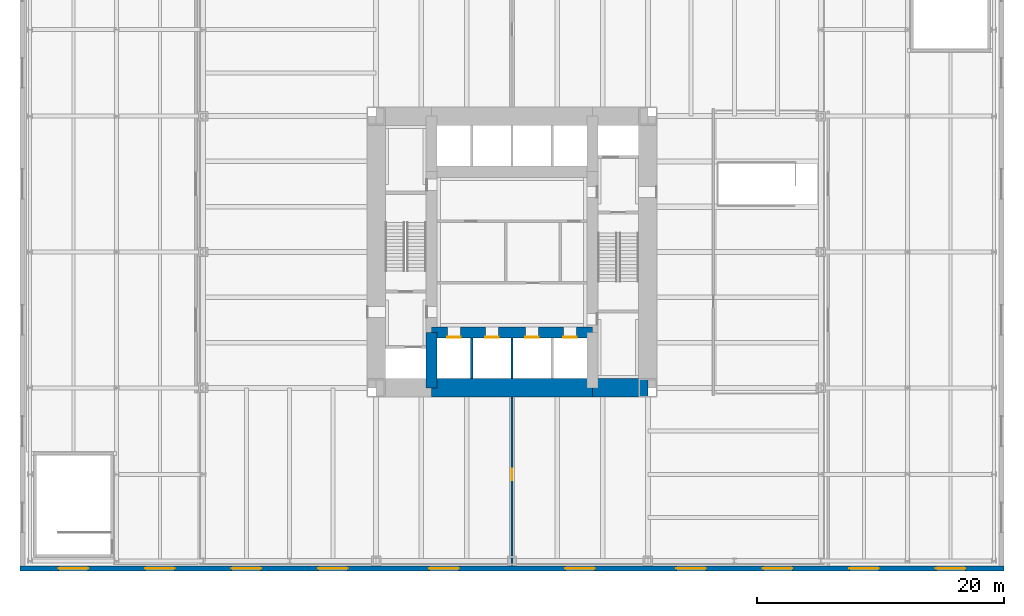
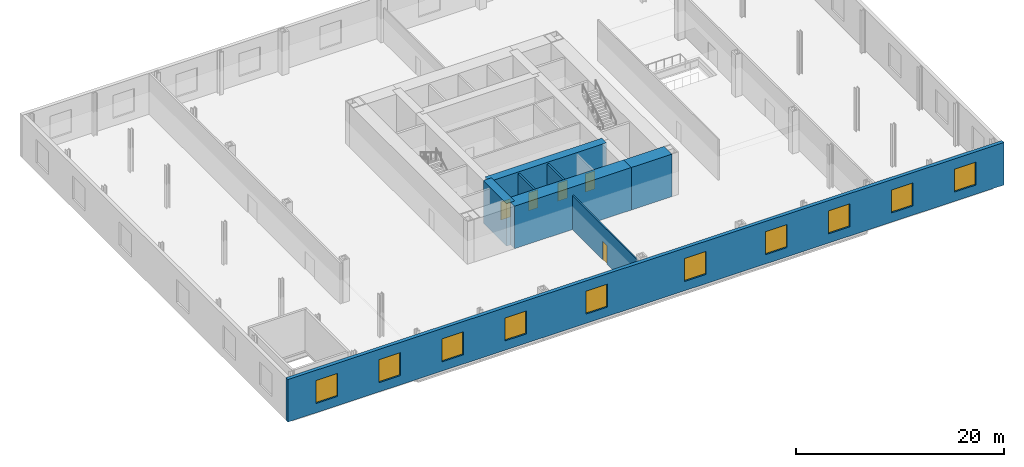
# One storey, part 8 of 12: 10 windows, 8 walls, 5 doors, 15 openings.
"""IFC4 building model written with IfcOpenShell, lengths in metres."""

from ifc_helpers import new_model, si_unit, direction, frame, frame_2d, origin, place, context, subcontext, project, spatial, rectangle, extrude, material, layer, layer_set, type_object, element, fill, save


model = new_model("IFC4")

# Units and contexts
model_context = context("Model", 3, precision=1e-05, world=origin(), true_north=direction((0.0, 1.0)))
body_context = subcontext(model_context, "Body", "Model", "MODEL_VIEW")
ifc_project = project(units=[si_unit("LENGTHUNIT", "METRE"), si_unit("AREAUNIT", "SQUARE_METRE"), si_unit("VOLUMEUNIT", "CUBIC_METRE"), si_unit("PLANEANGLEUNIT", "RADIAN"), si_unit("MASSUNIT", "GRAM", prefix="KILO")], contexts=[model_context])

# Site, building, storey
site_placement = place(None, origin())
site = spatial("IfcSite", under=ifc_project, at=site_placement, CompositionType="ELEMENT")
building_placement = place(site_placement, origin())
building = spatial("IfcBuilding", under=site, at=building_placement, Name="Trevanion Tower", CompositionType="ELEMENT")
storey_placement = place(building_placement, frame((0.0, 0.0, 11.0)))
storey = spatial("IfcBuildingStorey", under=building, at=storey_placement, Name="L02", CompositionType="ELEMENT", Elevation=11.0)

# Walls
ifc_material_1 = material(Name="Concrete 10,000 psi", Category="concrete")
ifc_layer_1 = layer(ifc_material_1, 1.5)
ifc_layer_set_1 = layer_set([ifc_layer_1], Name="CW1 core wall 1500")
wall_type_1 = type_object("IfcWallType", Name="CW1 core wall 1500", PredefinedType="SHEAR", material=ifc_layer_set_1)
wall_1_placement = place(storey_placement, frame((-6.5, -11.0, 0.0), z_axis=(0.0, 0.0, 1.0), x_axis=(1.0, 0.0, 0.0)))
element("IfcWall", 1, at=wall_1_placement, inside=storey, type_object=wall_type_1, Name="CW1 CS2 L02", PredefinedType="SHEAR", context=body_context, shape_type="SweptSolid", body=[
    extrude(rectangle(XDim=13.0, YDim=1.5, at=frame_2d((6.5, 0.0))), origin(), (0.0, 0.0, 1.0), 5.0),
])
wall_2_placement = place(storey_placement, frame((6.5, -11.0, 0.0), z_axis=(0.0, 0.0, 1.0), x_axis=(1.0, 0.0, 0.0)))
element("IfcWall", 2, at=wall_2_placement, inside=storey, type_object=wall_type_1, Name="CW1 CS3 L02", PredefinedType="SHEAR", context=body_context, shape_type="SweptSolid", body=[
    extrude(rectangle(XDim=4.5, YDim=1.5, at=frame_2d((2.25, 0.0))), origin(), (0.0, 0.0, 1.0), 5.0),
])
ifc_material_2 = material(Name="Concrete 10,000 psi", Category="concrete")
ifc_layer_2 = layer(ifc_material_2, 0.89990234375)
ifc_layer_set_2 = layer_set([ifc_layer_2], Name="CW2 core wall 900")
wall_type_2 = type_object("IfcWallType", Name="CW2 core wall 900", PredefinedType="SHEAR", material=ifc_layer_set_2)
wall_3_placement = place(storey_placement, frame((-6.5, -6.5, 0.0), z_axis=(0.0, 0.0, 1.0), x_axis=(0.0, -1.0, 0.0)))
element("IfcWall", 3, at=wall_3_placement, inside=storey, type_object=wall_type_2, Name="CW2 RW3 L02", PredefinedType="SHEAR", context=body_context, shape_type="SweptSolid", body=[
    extrude(rectangle(XDim=4.5, YDim=0.89990234375, at=frame_2d((2.25, 0.0))), origin(), (0.0, 0.0, 1.0), 5.0),
])

# Wall, openings, doors
wall_4_placement = place(storey_placement, frame((-6.5, -6.5, 0.0), z_axis=(0.0, 0.0, 1.0), x_axis=(1.0, 0.0, 0.0)))
wall_4 = element("IfcWall", 4, at=wall_4_placement, inside=storey, type_object=wall_type_2, Name="CW2 RS L02", PredefinedType="SHEAR", context=body_context, shape_type="SweptSolid", body=[
    extrude(rectangle(XDim=13.0, YDim=0.89990234375, at=frame_2d((6.5, 0.0))), origin(), (0.0, 0.0, 1.0), 5.0),
])
opening_1_placement = place(wall_4_placement, frame((1.2666015625, 0.0, 0.0)))
opening_1 = element("IfcOpeningElement", 5, at=opening_1_placement, cuts=wall_4, Name="Opening 02-011", PredefinedType="OPENING", context=body_context, shape_type="SweptSolid", body=[
    extrude(rectangle(XDim=1.06689453125, YDim=2.134033203125, at=frame_2d((0.533447265625, 1.06689453125))), frame((0.0, 0.4599609375, 0.0), z_axis=(0.0, -1.0, 0.0), x_axis=(1.0, 0.0, 0.0)), (0.0, 0.0, 1.0), 0.919921875),
])
opening_2_placement = place(wall_4_placement, frame((4.341552734375, 0.0, 0.0)))
opening_2 = element("IfcOpeningElement", 6, at=opening_2_placement, cuts=wall_4, Name="Opening 02-012", PredefinedType="OPENING", context=body_context, shape_type="SweptSolid", body=[
    extrude(rectangle(XDim=1.06689453125, YDim=2.134033203125, at=frame_2d((0.533447265625, 1.06689453125))), frame((0.0, 0.4599609375, 0.0), z_axis=(0.0, -1.0, 0.0), x_axis=(1.0, 0.0, 0.0)), (0.0, 0.0, 1.0), 0.919921875),
])
opening_3_placement = place(wall_4_placement, frame((7.591552734375, 0.0, 0.0)))
opening_3 = element("IfcOpeningElement", 7, at=opening_3_placement, cuts=wall_4, Name="Opening 02-013", PredefinedType="OPENING", context=body_context, shape_type="SweptSolid", body=[
    extrude(rectangle(XDim=1.06689453125, YDim=2.134033203125, at=frame_2d((0.533447265625, 1.06689453125))), frame((0.0, 0.4599609375, 0.0), z_axis=(0.0, -1.0, 0.0), x_axis=(1.0, 0.0, 0.0)), (0.0, 0.0, 1.0), 0.919921875),
])
opening_4_placement = place(wall_4_placement, frame((10.66650390625, 0.0, 0.0)))
opening_4 = element("IfcOpeningElement", 8, at=opening_4_placement, cuts=wall_4, Name="Opening 02-014", PredefinedType="OPENING", context=body_context, shape_type="SweptSolid", body=[
    extrude(rectangle(XDim=1.06689453125, YDim=2.134033203125, at=frame_2d((0.533447265625, 1.06689453125))), frame((0.0, 0.4599609375, 0.0), z_axis=(0.0, -1.0, 0.0), x_axis=(1.0, 0.0, 0.0)), (0.0, 0.0, 1.0), 0.919921875),
])
ifc_material_3 = material(Name="Stainless steel, fire rated", Category="steel")
door_type_1 = type_object("IfcDoorType", Name="LD1 lift landing door", OperationType="SLIDING_TO_LEFT", PredefinedType="DOOR", material=ifc_material_3)
door_1_placement = place(opening_1_placement, origin())
door_1 = element("IfcDoor", 9, at=door_1_placement, inside=storey, type_object=door_type_1, Name="Door 02-011", OperationType="SLIDING_TO_LEFT", OverallHeight=2.134033203125, OverallWidth=1.06689453125, PredefinedType="DOOR", context=body_context, shape_type="SweptSolid", body=[
    extrude(rectangle(XDim=1.06689453125, YDim=2.134033203125, at=frame_2d((0.533447265625, 1.06689453125))), frame((0.0, -0.375, 0.0), z_axis=(0.0, -1.0, 0.0), x_axis=(1.0, 0.0, 0.0)), (0.0, 0.0, 1.0), 0.050048828125),
])
fill(opening_1, door_1)
door_2_placement = place(opening_2_placement, origin())
door_2 = element("IfcDoor", 10, at=door_2_placement, inside=storey, type_object=door_type_1, Name="Door 02-012", OperationType="SLIDING_TO_LEFT", OverallHeight=2.134033203125, OverallWidth=1.06689453125, PredefinedType="DOOR", context=body_context, shape_type="SweptSolid", body=[
    extrude(rectangle(XDim=1.06689453125, YDim=2.134033203125, at=frame_2d((0.533447265625, 1.06689453125))), frame((0.0, -0.375, 0.0), z_axis=(0.0, -1.0, 0.0), x_axis=(1.0, 0.0, 0.0)), (0.0, 0.0, 1.0), 0.050048828125),
])
fill(opening_2, door_2)
door_3_placement = place(opening_3_placement, origin())
door_3 = element("IfcDoor", 11, at=door_3_placement, inside=storey, type_object=door_type_1, Name="Door 02-013", OperationType="SLIDING_TO_LEFT", OverallHeight=2.134033203125, OverallWidth=1.06689453125, PredefinedType="DOOR", context=body_context, shape_type="SweptSolid", body=[
    extrude(rectangle(XDim=1.06689453125, YDim=2.134033203125, at=frame_2d((0.533447265625, 1.06689453125))), frame((0.0, -0.375, 0.0), z_axis=(0.0, -1.0, 0.0), x_axis=(1.0, 0.0, 0.0)), (0.0, 0.0, 1.0), 0.050048828125),
])
fill(opening_3, door_3)
door_4_placement = place(opening_4_placement, origin())
door_4 = element("IfcDoor", 12, at=door_4_placement, inside=storey, type_object=door_type_1, Name="Door 02-014", OperationType="SLIDING_TO_LEFT", OverallHeight=2.134033203125, OverallWidth=1.06689453125, PredefinedType="DOOR", context=body_context, shape_type="SweptSolid", body=[
    extrude(rectangle(XDim=1.06689453125, YDim=2.134033203125, at=frame_2d((0.533447265625, 1.06689453125))), frame((0.0, -0.375, 0.0), z_axis=(0.0, -1.0, 0.0), x_axis=(1.0, 0.0, 0.0)), (0.0, 0.0, 1.0), 0.050048828125),
])
fill(opening_4, door_4)

# Wall, openings, windows
ifc_material_4 = material(Name="Granite cladding on concrete masonry", Category="masonry")
ifc_layer_3 = layer(ifc_material_4, 0.39990234375)
ifc_layer_set_3 = layer_set([ifc_layer_3], Name="EW1 granite-faced wall 400")
wall_type_3 = type_object("IfcWallType", Name="EW1 granite-faced wall 400", PredefinedType="SOLIDWALL", material=ifc_layer_set_3)
wall_5_placement = place(storey_placement, frame((-39.820068359375, -25.6201171875, -0.18994140625), z_axis=(0.0, 0.0, 1.0), x_axis=(1.0, 0.0, 0.0)))
wall_5 = element("IfcWall", 13, at=wall_5_placement, inside=storey, type_object=wall_type_3, Name="EW1 S L02", PredefinedType="SOLIDWALL", context=body_context, shape_type="SweptSolid", body=[
    extrude(rectangle(XDim=79.64013671875, YDim=0.39990234375, at=frame_2d((39.820068359375, 0.0))), origin(), (0.0, 0.0, 1.0), 5.0),
])
opening_5_placement = place(wall_5_placement, frame((3.1201171875, 0.0, 1.090087890625)))
opening_5 = element("IfcOpeningElement", 14, at=opening_5_placement, cuts=wall_5, Name="Opening WN2", PredefinedType="OPENING", context=body_context, shape_type="SweptSolid", body=[
    extrude(rectangle(XDim=2.39990234375, YDim=2.699951171875, at=frame_2d((1.199951171875, 1.35009765625))), frame((0.0, 0.2099609375, 0.0), z_axis=(0.0, -1.0, 0.0), x_axis=(1.0, 0.0, 0.0)), (0.0, 0.0, 1.0), 0.419921875),
])
opening_6_placement = place(wall_5_placement, frame((10.1201171875, 0.0, 1.090087890625)))
opening_6 = element("IfcOpeningElement", 15, at=opening_6_placement, cuts=wall_5, Name="Opening WN2", PredefinedType="OPENING", context=body_context, shape_type="SweptSolid", body=[
    extrude(rectangle(XDim=2.39990234375, YDim=2.699951171875, at=frame_2d((1.199951171875, 1.35009765625))), frame((0.0, 0.2099609375, 0.0), z_axis=(0.0, -1.0, 0.0), x_axis=(1.0, 0.0, 0.0)), (0.0, 0.0, 1.0), 0.419921875),
])
opening_7_placement = place(wall_5_placement, frame((17.1201171875, 0.0, 1.090087890625)))
opening_7 = element("IfcOpeningElement", 16, at=opening_7_placement, cuts=wall_5, Name="Opening WN2", PredefinedType="OPENING", context=body_context, shape_type="SweptSolid", body=[
    extrude(rectangle(XDim=2.39990234375, YDim=2.699951171875, at=frame_2d((1.199951171875, 1.35009765625))), frame((0.0, 0.2099609375, 0.0), z_axis=(0.0, -1.0, 0.0), x_axis=(1.0, 0.0, 0.0)), (0.0, 0.0, 1.0), 0.419921875),
])
opening_8_placement = place(wall_5_placement, frame((24.1201171875, 0.0, 1.090087890625)))
opening_8 = element("IfcOpeningElement", 17, at=opening_8_placement, cuts=wall_5, Name="Opening WN2", PredefinedType="OPENING", context=body_context, shape_type="SweptSolid", body=[
    extrude(rectangle(XDim=2.39990234375, YDim=2.699951171875, at=frame_2d((1.199951171875, 1.35009765625))), frame((0.0, 0.2099609375, 0.0), z_axis=(0.0, -1.0, 0.0), x_axis=(1.0, 0.0, 0.0)), (0.0, 0.0, 1.0), 0.419921875),
])
opening_9_placement = place(wall_5_placement, frame((33.1201171875, 0.0, 1.090087890625)))
opening_9 = element("IfcOpeningElement", 18, at=opening_9_placement, cuts=wall_5, Name="Opening WN2", PredefinedType="OPENING", context=body_context, shape_type="SweptSolid", body=[
    extrude(rectangle(XDim=2.39990234375, YDim=2.699951171875, at=frame_2d((1.199951171875, 1.35009765625))), frame((0.0, 0.2099609375, 0.0), z_axis=(0.0, -1.0, 0.0), x_axis=(1.0, 0.0, 0.0)), (0.0, 0.0, 1.0), 0.419921875),
])
opening_10_placement = place(wall_5_placement, frame((44.1201171875, 0.0, 1.090087890625)))
opening_10 = element("IfcOpeningElement", 19, at=opening_10_placement, cuts=wall_5, Name="Opening WN2", PredefinedType="OPENING", context=body_context, shape_type="SweptSolid", body=[
    extrude(rectangle(XDim=2.39990234375, YDim=2.699951171875, at=frame_2d((1.199951171875, 1.35009765625))), frame((0.0, 0.2099609375, 0.0), z_axis=(0.0, -1.0, 0.0), x_axis=(1.0, 0.0, 0.0)), (0.0, 0.0, 1.0), 0.419921875),
])
opening_11_placement = place(wall_5_placement, frame((53.1201171875, 0.0, 1.090087890625)))
opening_11 = element("IfcOpeningElement", 20, at=opening_11_placement, cuts=wall_5, Name="Opening WN2", PredefinedType="OPENING", context=body_context, shape_type="SweptSolid", body=[
    extrude(rectangle(XDim=2.39990234375, YDim=2.699951171875, at=frame_2d((1.199951171875, 1.35009765625))), frame((0.0, 0.2099609375, 0.0), z_axis=(0.0, -1.0, 0.0), x_axis=(1.0, 0.0, 0.0)), (0.0, 0.0, 1.0), 0.419921875),
])
opening_12_placement = place(wall_5_placement, frame((60.1201171875, 0.0, 1.090087890625)))
opening_12 = element("IfcOpeningElement", 21, at=opening_12_placement, cuts=wall_5, Name="Opening WN2", PredefinedType="OPENING", context=body_context, shape_type="SweptSolid", body=[
    extrude(rectangle(XDim=2.39990234375, YDim=2.699951171875, at=frame_2d((1.199951171875, 1.35009765625))), frame((0.0, 0.2099609375, 0.0), z_axis=(0.0, -1.0, 0.0), x_axis=(1.0, 0.0, 0.0)), (0.0, 0.0, 1.0), 0.419921875),
])
opening_13_placement = place(wall_5_placement, frame((67.1201171875, 0.0, 1.090087890625)))
opening_13 = element("IfcOpeningElement", 22, at=opening_13_placement, cuts=wall_5, Name="Opening WN2", PredefinedType="OPENING", context=body_context, shape_type="SweptSolid", body=[
    extrude(rectangle(XDim=2.39990234375, YDim=2.699951171875, at=frame_2d((1.199951171875, 1.35009765625))), frame((0.0, 0.2099609375, 0.0), z_axis=(0.0, -1.0, 0.0), x_axis=(1.0, 0.0, 0.0)), (0.0, 0.0, 1.0), 0.419921875),
])
opening_14_placement = place(wall_5_placement, frame((74.1201171875, 0.0, 1.090087890625)))
opening_14 = element("IfcOpeningElement", 23, at=opening_14_placement, cuts=wall_5, Name="Opening WN2", PredefinedType="OPENING", context=body_context, shape_type="SweptSolid", body=[
    extrude(rectangle(XDim=2.39990234375, YDim=2.699951171875, at=frame_2d((1.199951171875, 1.35009765625))), frame((0.0, 0.2099609375, 0.0), z_axis=(0.0, -1.0, 0.0), x_axis=(1.0, 0.0, 0.0)), (0.0, 0.0, 1.0), 0.419921875),
])
ifc_material_5 = material(Name="Bronze-finish aluminium frame, insulating glass", Category="aluminium")
window_type = type_object("IfcWindowType", Name="WN2 window 2400x2700", PartitioningType="SINGLE_PANEL", PredefinedType="WINDOW", material=ifc_material_5)
window_1_placement = place(opening_5_placement, origin())
window_1 = element("IfcWindow", 24, at=window_1_placement, inside=storey, type_object=window_type, Name="WN2 S L02", OverallHeight=2.699951171875, OverallWidth=2.39990234375, PartitioningType="SINGLE_PANEL", PredefinedType="WINDOW", context=body_context, shape_type="SweptSolid", body=[
    extrude(rectangle(XDim=2.39990234375, YDim=2.699951171875, at=frame_2d((1.199951171875, 1.35009765625))), frame((0.0, 0.030029296875, 0.0), z_axis=(0.0, -1.0, 0.0), x_axis=(1.0, 0.0, 0.0)), (0.0, 0.0, 1.0), 0.06005859375),
])
fill(opening_5, window_1)
window_2_placement = place(opening_6_placement, origin())
window_2 = element("IfcWindow", 25, at=window_2_placement, inside=storey, type_object=window_type, Name="WN2 S L02", OverallHeight=2.699951171875, OverallWidth=2.39990234375, PartitioningType="SINGLE_PANEL", PredefinedType="WINDOW", context=body_context, shape_type="SweptSolid", body=[
    extrude(rectangle(XDim=2.39990234375, YDim=2.699951171875, at=frame_2d((1.199951171875, 1.35009765625))), frame((0.0, 0.030029296875, 0.0), z_axis=(0.0, -1.0, 0.0), x_axis=(1.0, 0.0, 0.0)), (0.0, 0.0, 1.0), 0.06005859375),
])
fill(opening_6, window_2)
window_3_placement = place(opening_7_placement, origin())
window_3 = element("IfcWindow", 26, at=window_3_placement, inside=storey, type_object=window_type, Name="WN2 S L02", OverallHeight=2.699951171875, OverallWidth=2.39990234375, PartitioningType="SINGLE_PANEL", PredefinedType="WINDOW", context=body_context, shape_type="SweptSolid", body=[
    extrude(rectangle(XDim=2.39990234375, YDim=2.699951171875, at=frame_2d((1.199951171875, 1.35009765625))), frame((0.0, 0.030029296875, 0.0), z_axis=(0.0, -1.0, 0.0), x_axis=(1.0, 0.0, 0.0)), (0.0, 0.0, 1.0), 0.06005859375),
])
fill(opening_7, window_3)
window_4_placement = place(opening_8_placement, origin())
window_4 = element("IfcWindow", 27, at=window_4_placement, inside=storey, type_object=window_type, Name="WN2 S L02", OverallHeight=2.699951171875, OverallWidth=2.39990234375, PartitioningType="SINGLE_PANEL", PredefinedType="WINDOW", context=body_context, shape_type="SweptSolid", body=[
    extrude(rectangle(XDim=2.39990234375, YDim=2.699951171875, at=frame_2d((1.199951171875, 1.35009765625))), frame((0.0, 0.030029296875, 0.0), z_axis=(0.0, -1.0, 0.0), x_axis=(1.0, 0.0, 0.0)), (0.0, 0.0, 1.0), 0.06005859375),
])
fill(opening_8, window_4)
window_5_placement = place(opening_9_placement, origin())
window_5 = element("IfcWindow", 28, at=window_5_placement, inside=storey, type_object=window_type, Name="WN2 S L02", OverallHeight=2.699951171875, OverallWidth=2.39990234375, PartitioningType="SINGLE_PANEL", PredefinedType="WINDOW", context=body_context, shape_type="SweptSolid", body=[
    extrude(rectangle(XDim=2.39990234375, YDim=2.699951171875, at=frame_2d((1.199951171875, 1.35009765625))), frame((0.0, 0.030029296875, 0.0), z_axis=(0.0, -1.0, 0.0), x_axis=(1.0, 0.0, 0.0)), (0.0, 0.0, 1.0), 0.06005859375),
])
fill(opening_9, window_5)
window_6_placement = place(opening_10_placement, origin())
window_6 = element("IfcWindow", 29, at=window_6_placement, inside=storey, type_object=window_type, Name="WN2 S L02", OverallHeight=2.699951171875, OverallWidth=2.39990234375, PartitioningType="SINGLE_PANEL", PredefinedType="WINDOW", context=body_context, shape_type="SweptSolid", body=[
    extrude(rectangle(XDim=2.39990234375, YDim=2.699951171875, at=frame_2d((1.199951171875, 1.35009765625))), frame((0.0, 0.030029296875, 0.0), z_axis=(0.0, -1.0, 0.0), x_axis=(1.0, 0.0, 0.0)), (0.0, 0.0, 1.0), 0.06005859375),
])
fill(opening_10, window_6)
window_7_placement = place(opening_11_placement, origin())
window_7 = element("IfcWindow", 30, at=window_7_placement, inside=storey, type_object=window_type, Name="WN2 S L02", OverallHeight=2.699951171875, OverallWidth=2.39990234375, PartitioningType="SINGLE_PANEL", PredefinedType="WINDOW", context=body_context, shape_type="SweptSolid", body=[
    extrude(rectangle(XDim=2.39990234375, YDim=2.699951171875, at=frame_2d((1.199951171875, 1.35009765625))), frame((0.0, 0.030029296875, 0.0), z_axis=(0.0, -1.0, 0.0), x_axis=(1.0, 0.0, 0.0)), (0.0, 0.0, 1.0), 0.06005859375),
])
fill(opening_11, window_7)
window_8_placement = place(opening_12_placement, origin())
window_8 = element("IfcWindow", 31, at=window_8_placement, inside=storey, type_object=window_type, Name="WN2 S L02", OverallHeight=2.699951171875, OverallWidth=2.39990234375, PartitioningType="SINGLE_PANEL", PredefinedType="WINDOW", context=body_context, shape_type="SweptSolid", body=[
    extrude(rectangle(XDim=2.39990234375, YDim=2.699951171875, at=frame_2d((1.199951171875, 1.35009765625))), frame((0.0, 0.030029296875, 0.0), z_axis=(0.0, -1.0, 0.0), x_axis=(1.0, 0.0, 0.0)), (0.0, 0.0, 1.0), 0.06005859375),
])
fill(opening_12, window_8)
window_9_placement = place(opening_13_placement, origin())
window_9 = element("IfcWindow", 32, at=window_9_placement, inside=storey, type_object=window_type, Name="WN2 S L02", OverallHeight=2.699951171875, OverallWidth=2.39990234375, PartitioningType="SINGLE_PANEL", PredefinedType="WINDOW", context=body_context, shape_type="SweptSolid", body=[
    extrude(rectangle(XDim=2.39990234375, YDim=2.699951171875, at=frame_2d((1.199951171875, 1.35009765625))), frame((0.0, 0.030029296875, 0.0), z_axis=(0.0, -1.0, 0.0), x_axis=(1.0, 0.0, 0.0)), (0.0, 0.0, 1.0), 0.06005859375),
])
fill(opening_13, window_9)
window_10_placement = place(opening_14_placement, origin())
window_10 = element("IfcWindow", 33, at=window_10_placement, inside=storey, type_object=window_type, Name="WN2 S L02", OverallHeight=2.699951171875, OverallWidth=2.39990234375, PartitioningType="SINGLE_PANEL", PredefinedType="WINDOW", context=body_context, shape_type="SweptSolid", body=[
    extrude(rectangle(XDim=2.39990234375, YDim=2.699951171875, at=frame_2d((1.199951171875, 1.35009765625))), frame((0.0, 0.030029296875, 0.0), z_axis=(0.0, -1.0, 0.0), x_axis=(1.0, 0.0, 0.0)), (0.0, 0.0, 1.0), 0.06005859375),
])
fill(opening_14, window_10)

# Wall, opening, door
ifc_material_6 = material(Name="Gypsum board on steel studs", Category="steel")
ifc_layer_4 = layer(ifc_material_6, 0.14990234375)
ifc_layer_set_4 = layer_set([ifc_layer_4], Name="PT1 partition 150")
wall_type_4 = type_object("IfcWallType", Name="PT1 partition 150", PredefinedType="PARTITIONING", material=ifc_layer_set_4)
wall_6_placement = place(storey_placement, frame((0.0, -11.75, 0.0), z_axis=(0.0, 0.0, 1.0), x_axis=(0.0, -1.0, 0.0)))
wall_6 = element("IfcWall", 34, at=wall_6_placement, inside=storey, type_object=wall_type_4, Name="PT1 L02 XS", PredefinedType="PARTITIONING", context=body_context, shape_type="SweptSolid", body=[
    extrude(rectangle(XDim=13.659912109375, YDim=0.14990234375, at=frame_2d((6.830078125, 0.0))), origin(), (0.0, 0.0, 1.0), 4.00732421875),
])
opening_15_placement = place(wall_6_placement, frame((5.79248046875, 0.0, 0.0)))
opening_15 = element("IfcOpeningElement", 35, at=opening_15_placement, cuts=wall_6, Name="Opening 02-026", PredefinedType="OPENING", context=body_context, shape_type="SweptSolid", body=[
    extrude(rectangle(XDim=0.9150390625, YDim=2.134033203125, at=frame_2d((0.45751953125, 1.06689453125))), frame((0.0, 0.0849609375, 0.0), z_axis=(0.0, -1.0, 0.0), x_axis=(1.0, 0.0, 0.0)), (0.0, 0.0, 1.0), 0.169921875),
])
ifc_material_7 = material(Name="Timber veneer, solid core", Category="wood")
door_type_2 = type_object("IfcDoorType", Name="D1 office and meeting room door", OperationType="SINGLE_SWING_LEFT", PredefinedType="DOOR", material=ifc_material_7)
door_5_placement = place(opening_15_placement, origin())
door_5 = element("IfcDoor", 36, at=door_5_placement, inside=storey, type_object=door_type_2, Name="Door 02-026", OperationType="SINGLE_SWING_LEFT", OverallHeight=2.134033203125, OverallWidth=0.9150390625, PredefinedType="DOOR", context=body_context, shape_type="SweptSolid", body=[
    extrude(rectangle(XDim=0.9150390625, YDim=2.134033203125, at=frame_2d((0.45751953125, 1.06689453125))), frame((0.0, 0.02490234375, 0.0), z_axis=(0.0, -1.0, 0.0), x_axis=(1.0, 0.0, 0.0)), (0.0, 0.0, 1.0), 0.050048828125),
])
fill(opening_15, door_5)

# Walls
ifc_material_8 = material(Name="Concrete masonry, grouted", Category="masonry")
ifc_layer_5 = layer(ifc_material_8, 0.199951171875)
ifc_layer_set_5 = layer_set([ifc_layer_5], Name="PT2 partition 200 2 HR")
wall_type_5 = type_object("IfcWallType", Name="PT2 partition 200 2 HR", PredefinedType="PARTITIONING", material=ifc_layer_set_5)
for number, where, z_axis, x_axis, name in (
    (37, (-3.25, -10.25, 0.0), (0.0, 0.0, 1.0), (0.0, 1.0, 0.0), "PT2 L02 SS0"),
    (38, (0.0, -10.25, 0.0), (0.0, 0.0, 1.0), (0.0, 1.0, 0.0), "PT2 L02 SS1"),
):
    element("IfcWall", number, at=place(storey_placement, frame(where, z_axis=z_axis, x_axis=x_axis)), inside=storey, type_object=wall_type_5, Name=name, PredefinedType="PARTITIONING", context=body_context, shape_type="SweptSolid", body=[
        extrude(rectangle(XDim=3.300048828125, YDim=0.199951171875, at=frame_2d((1.64990234375, 0.0))), origin(), (0.0, 0.0, 1.0), 4.81005859375),
    ])

save(model, "model.ifc")
